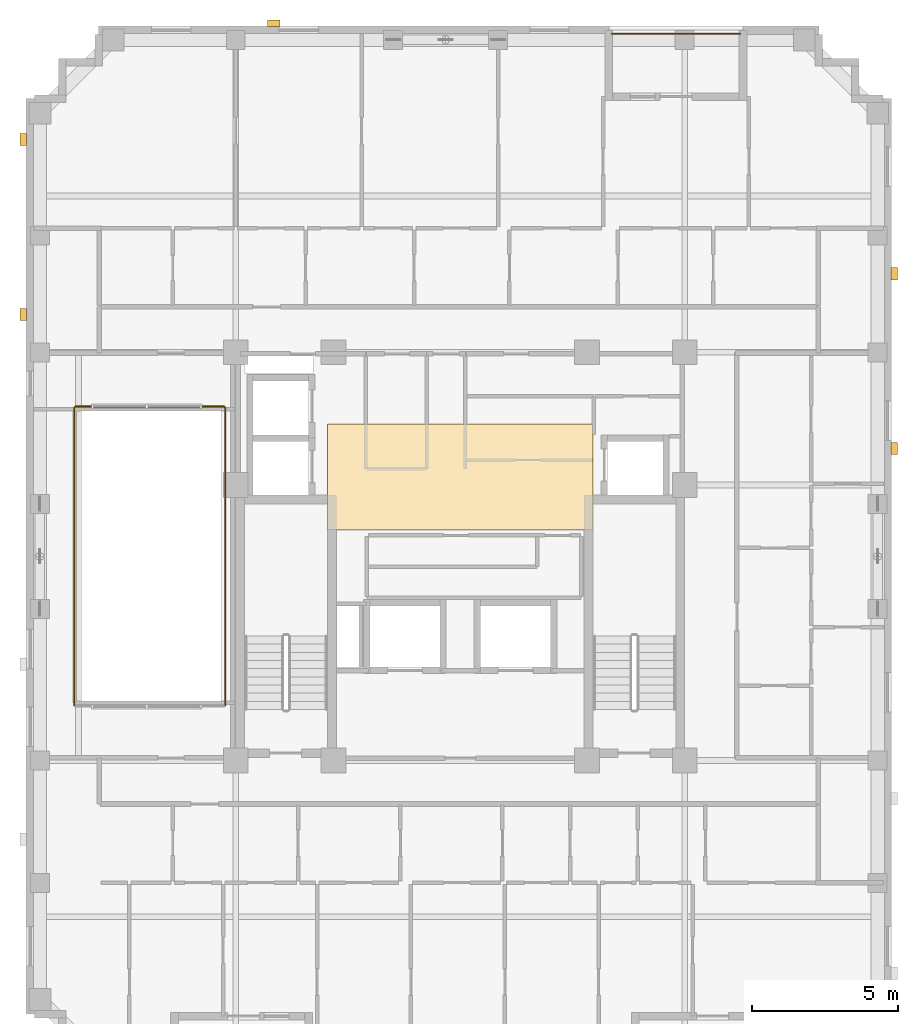
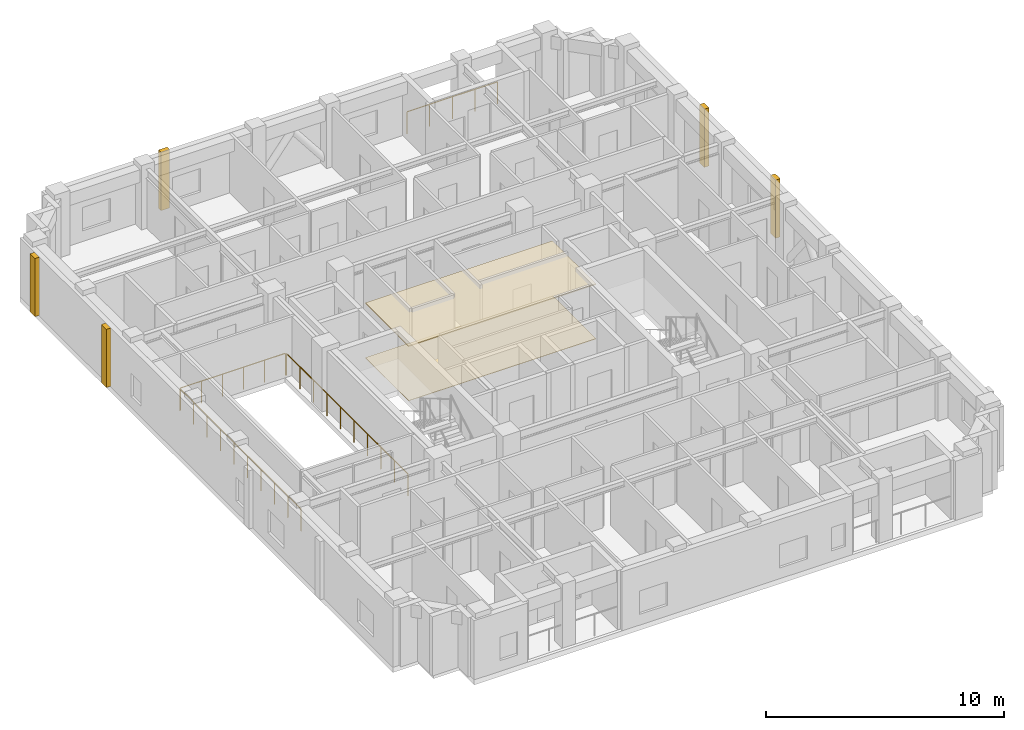
# One storey, part 13 of 13: 7 coverings, 4 railings.
"""IFC4 building model written with IfcOpenShell, lengths in metres."""

from ifc_helpers import new_model, si_unit, derived_unit, direction, frame, origin, origin_2d, place, context, subcontext, project, spatial, polyline, rectangle, circle, outline, extrude, material, layer, layer_set, type_object, element, save


model = new_model("IFC4")

# Units and contexts
model_context = context("Model", 3, precision=1e-05, world=origin(), true_north=direction((0.0, 1.0)))
body_context = subcontext(model_context, "Body", "Model", "MODEL_VIEW")
ifc_project = project(units=[si_unit("LENGTHUNIT", "METRE"), si_unit("AREAUNIT", "SQUARE_METRE"), si_unit("VOLUMEUNIT", "CUBIC_METRE"), si_unit("PLANEANGLEUNIT", "RADIAN"), si_unit("MASSUNIT", "GRAM", prefix="KILO"), derived_unit("THERMALTRANSMITTANCEUNIT", [(si_unit("MASSUNIT", "GRAM", prefix="KILO"), 1), (si_unit("TIMEUNIT", "SECOND"), -3), (si_unit("THERMODYNAMICTEMPERATUREUNIT", "KELVIN"), -1)])], contexts=[model_context])

# Site, building, storey
site_placement = place(None, origin())
site = spatial("IfcSite", under=ifc_project, at=site_placement, CompositionType="ELEMENT")
building_placement = place(site_placement, origin())
building = spatial("IfcBuilding", under=site, at=building_placement, Name="Korrvale Station Residences", CompositionType="ELEMENT")
storey_placement = place(building_placement, frame((0.0, 0.0, 181.0)))
storey = spatial("IfcBuildingStorey", under=building, at=storey_placement, Name="L52", CompositionType="ELEMENT", Elevation=181.0)

# Coverings
ifc_material_1 = material(Name="Perforated acoustic mineral-fibre suspended ceiling", Category="gypsum")
ifc_layer_1 = layer(ifc_material_1, 0.050048828125, Name="Perforated acoustic mineral-fibre suspended ceiling")
ifc_layer_set_1 = layer_set([ifc_layer_1], Name="Perforated acoustic mineral-fibre suspended ceiling")
covering_type_1 = type_object("IfcCoveringType", Name="COV-CLG-AC60", PredefinedType="CEILING", material=ifc_layer_set_1)
covering_1_placement = place(storey_placement, frame((0.0, 0.0, 2.7900390625)))
element("IfcCovering", 1, at=covering_1_placement, inside=storey, type_object=covering_type_1, Name="L52 Elevator Lobby Acoustic Ceiling", PredefinedType="CEILING", context=body_context, shape_type="SweptSolid", body=[
    extrude(outline(polyline([(20.949951171875, 22.89990234375), (30.050048828125, 22.89990234375), (30.050048828125, 26.550048828125), (20.949951171875, 26.550048828125), (20.949951171875, 22.89990234375)])), origin(), (0.0, 0.0, 1.0), 0.050048828125),
])
ifc_material_2 = material(Name="Polished quartz-terrazzo lobby flooring", Category="masonry")
ifc_layer_2 = layer(ifc_material_2, 0.02001953125, Name="Polished quartz-terrazzo lobby flooring")
ifc_layer_set_2 = layer_set([ifc_layer_2], Name="Polished quartz-terrazzo lobby flooring")
covering_type_2 = type_object("IfcCoveringType", Name="COV-FLR-TER20", PredefinedType="FLOORING", material=ifc_layer_set_2)
covering_2_placement = place(storey_placement, origin())
element("IfcCovering", 2, at=covering_2_placement, inside=storey, type_object=covering_type_2, Name="L52 Elevator Lobby Terrazzo Flooring", PredefinedType="FLOORING", context=body_context, shape_type="SweptSolid", body=[
    extrude(outline(polyline([(20.949951171875, 22.89990234375), (30.050048828125, 22.89990234375), (30.050048828125, 26.550048828125), (20.949951171875, 26.550048828125), (20.949951171875, 22.89990234375)])), origin(), (0.0, 0.0, 1.0), 0.02001953125),
])
ifc_material_3 = material(Name="Architectural precast concrete C45/55", Category="concrete")
ifc_layer_3 = layer(ifc_material_3, 0.219970703125, Name="Architectural precast concrete C45/55")
ifc_layer_set_3 = layer_set([ifc_layer_3], Name="Architectural precast concrete C45/55")
covering_type_3 = type_object("IfcCoveringType", Name="COV-PIER-400", PredefinedType="CLADDING", material=ifc_layer_set_3)
for number, where, z_axis, x_axis, name in (
    (3, (19.10009765625, 40.2900390625, 0.02490234375), (0.0, 0.0, 1.0), (1.0, 0.0, 0.0), "L52 Architectural Precast Facade Pier 01"),
    (4, (10.510009765625, 30.300048828125, 0.02490234375), (0.0, 0.0, 1.0), (0.0, 1.0, 0.0), "L52 Architectural Precast Facade Pier 04"),
    (5, (10.510009765625, 36.300048828125, 0.02490234375), (0.0, 0.0, 1.0), (0.0, 1.0, 0.0), "L52 Architectural Precast Facade Pier 05"),
    (6, (40.389892578125, 31.699951171875, 0.02490234375), (0.0, 0.0, 1.0), (0.0, 1.0, 0.0), "L52 Architectural Precast Facade Pier 06"),
    (7, (40.389892578125, 25.699951171875, 0.02490234375), (0.0, 0.0, 1.0), (0.0, 1.0, 0.0), "L52 Architectural Precast Facade Pier 07"),
):
    element("IfcCovering", number, at=place(storey_placement, frame(where, z_axis=z_axis, x_axis=x_axis)), inside=storey, type_object=covering_type_3, Name=name, PredefinedType="CLADDING", context=body_context, shape_type="SweptSolid", body=[
        extrude(rectangle(XDim=0.419921875, YDim=0.219970703125, at=origin_2d()), origin(), (0.0, 0.0, 1.0), 2.989990234375),
    ])

# Railings
ifc_material_4 = material(Name="Laminated glass and brushed bronze interior atrium balustrade", Category="glass")
railing_type_1 = type_object("IfcRailingType", Name="RLG-ATR-1150", PredefinedType="BALUSTRADE", material=ifc_material_4)
railing_1_placement = place(storey_placement, frame((12.300048828125, 27.139892578125, 0.0)))
element("IfcRailing", 8, at=railing_1_placement, inside=storey, type_object=railing_type_1, Name="L52 Atrium Void Balustrade 1-N", PredefinedType="BALUSTRADE", context=body_context, shape_type="SweptSolid", body=[
    extrude(circle(Radius=0.02392578125, at=origin_2d()), frame((0.0, 0.0, 1.1259765625), z_axis=(1.0, 0.0, 0.0), x_axis=(0.0, 1.0, 0.0)), (0.0, 0.0, 1.0), 5.099853515625),
    extrude(circle(Radius=0.02099609375, at=origin_2d()), origin(), (0.0, 0.0, 1.0), 1.101806640625),
    extrude(circle(Radius=0.02099609375, at=origin_2d()), frame((1.02001953125, 0.0, 0.0)), (0.0, 0.0, 1.0), 1.101806640625),
    extrude(circle(Radius=0.02099609375, at=origin_2d()), frame((2.0400390625, 0.0, 0.0)), (0.0, 0.0, 1.0), 1.101806640625),
    extrude(circle(Radius=0.02099609375, at=origin_2d()), frame((3.059814453125, 0.0, 0.0)), (0.0, 0.0, 1.0), 1.101806640625),
    extrude(circle(Radius=0.02099609375, at=origin_2d()), frame((4.079833984375, 0.0, 0.0)), (0.0, 0.0, 1.0), 1.101806640625),
    extrude(circle(Radius=0.02099609375, at=origin_2d()), frame((5.099853515625, 0.0, 0.0)), (0.0, 0.0, 1.0), 1.101806640625),
])
for number, where, name in (
    (9, (12.260009765625, 16.89990234375, 0.0), "L52 Atrium Void Balustrade 1-W"),
    (10, (17.43994140625, 16.89990234375, 0.0), "L52 Atrium Void Balustrade 1-E"),
):
    element("IfcRailing", number, at=place(storey_placement, frame(where)), inside=storey, type_object=railing_type_1, Name=name, PredefinedType="BALUSTRADE", context=body_context, shape_type="SweptSolid", body=[
        extrude(circle(Radius=0.02392578125, at=origin_2d()), frame((0.0, 0.0, 1.1259765625), z_axis=(0.0, 1.0, 0.0), x_axis=(-1.0, 0.0, 0.0)), (0.0, 0.0, 1.0), 10.2001953125),
        extrude(circle(Radius=0.02099609375, at=origin_2d()), origin(), (0.0, 0.0, 1.0), 1.101806640625),
        extrude(circle(Radius=0.02099609375, at=origin_2d()), frame((0.0, 1.13330078125, 0.0)), (0.0, 0.0, 1.0), 1.101806640625),
        extrude(circle(Radius=0.02099609375, at=origin_2d()), frame((0.0, 2.2666015625, 0.0)), (0.0, 0.0, 1.0), 1.101806640625),
        extrude(circle(Radius=0.02099609375, at=origin_2d()), frame((0.0, 3.400146484375, 0.0)), (0.0, 0.0, 1.0), 1.101806640625),
        extrude(circle(Radius=0.02099609375, at=origin_2d()), frame((0.0, 4.533447265625, 0.0)), (0.0, 0.0, 1.0), 1.101806640625),
        extrude(circle(Radius=0.02099609375, at=origin_2d()), frame((0.0, 5.666748046875, 0.0)), (0.0, 0.0, 1.0), 1.101806640625),
        extrude(circle(Radius=0.02099609375, at=origin_2d()), frame((0.0, 6.800048828125, 0.0)), (0.0, 0.0, 1.0), 1.101806640625),
        extrude(circle(Radius=0.02099609375, at=origin_2d()), frame((0.0, 7.93359375, 0.0)), (0.0, 0.0, 1.0), 1.101806640625),
        extrude(circle(Radius=0.02099609375, at=origin_2d()), frame((0.0, 9.06689453125, 0.0)), (0.0, 0.0, 1.0), 1.101806640625),
        extrude(circle(Radius=0.02099609375, at=origin_2d()), frame((0.0, 10.2001953125, 0.0)), (0.0, 0.0, 1.0), 1.101806640625),
    ])
ifc_material_5 = material(Name="Powder-coated aluminium picket loggia guard", Category="aluminium")
railing_type_2 = type_object("IfcRailingType", Name="RLG-BAL-1150", PredefinedType="GUARDRAIL", material=ifc_material_5)
railing_2_placement = place(storey_placement, frame((30.699951171875, 39.929931640625, 0.0)))
element("IfcRailing", 11, at=railing_2_placement, inside=storey, type_object=railing_type_2, Name="L52 Recessed Loggia Guardrail BAL-L52-N1", PredefinedType="GUARDRAIL", context=body_context, shape_type="SweptSolid", body=[
    extrude(circle(Radius=0.02392578125, at=origin_2d()), frame((0.0, 0.0, 1.1259765625), z_axis=(1.0, 0.0, 0.0), x_axis=(0.0, 1.0, 0.0)), (0.0, 0.0, 1.0), 4.400146484375),
    extrude(circle(Radius=0.02099609375, at=origin_2d()), origin(), (0.0, 0.0, 1.0), 1.101806640625),
    extrude(circle(Radius=0.02099609375, at=origin_2d()), frame((1.10009765625, 0.0, 0.0)), (0.0, 0.0, 1.0), 1.101806640625),
    extrude(circle(Radius=0.02099609375, at=origin_2d()), frame((2.2001953125, 0.0, 0.0)), (0.0, 0.0, 1.0), 1.101806640625),
    extrude(circle(Radius=0.02099609375, at=origin_2d()), frame((3.300048828125, 0.0, 0.0)), (0.0, 0.0, 1.0), 1.101806640625),
    extrude(circle(Radius=0.02099609375, at=origin_2d()), frame((4.400146484375, 0.0, 0.0)), (0.0, 0.0, 1.0), 1.101806640625),
])

save(model, "model.ifc")
